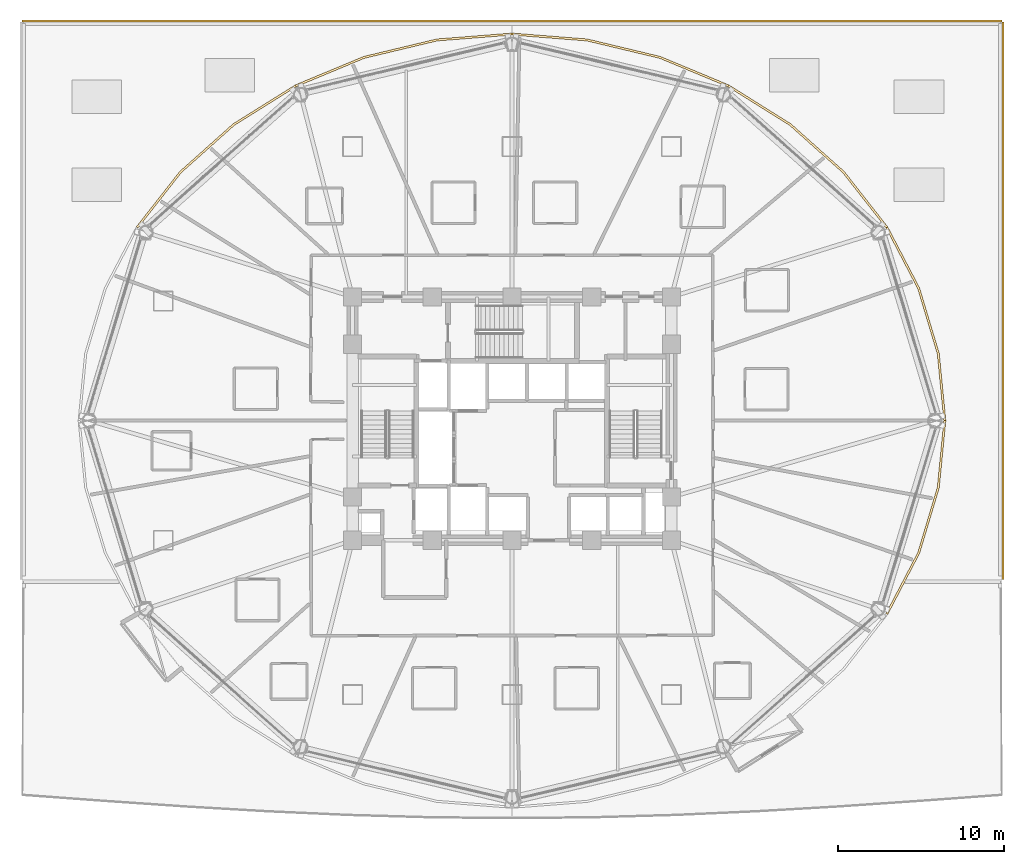
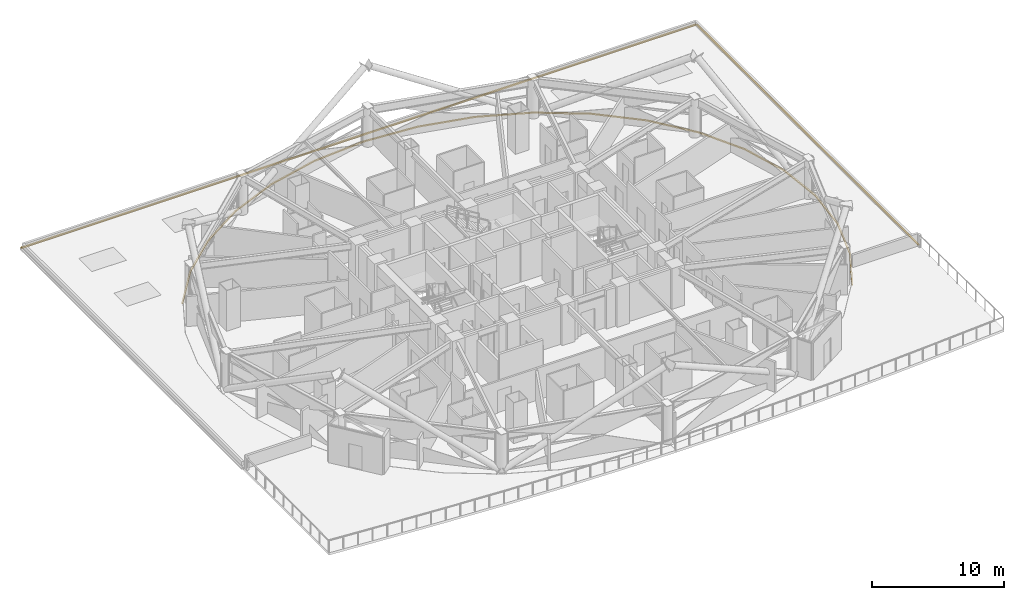
# One storey, part 27 of 27: 8 coverings.
"""IFC4 building model written with IfcOpenShell, lengths in metres."""

from ifc_helpers import new_model, si_unit, direction, frame, origin, place, context, subcontext, project, spatial, polyline, outline, extrude, material, layer, layer_set, type_object, element, save


model = new_model("IFC4")

# Units and contexts
model_context = context("Model", 3, precision=1e-05, world=origin(), true_north=direction((0.0, 1.0)))
body_context = subcontext(model_context, "Body", "Model", "MODEL_VIEW")
ifc_project = project(units=[si_unit("LENGTHUNIT", "METRE"), si_unit("AREAUNIT", "SQUARE_METRE"), si_unit("VOLUMEUNIT", "CUBIC_METRE"), si_unit("PLANEANGLEUNIT", "RADIAN"), si_unit("MASSUNIT", "GRAM", prefix="KILO")], contexts=[model_context])

# Site, building, storey
site_placement = place(None, origin())
site = spatial("IfcSite", under=ifc_project, at=site_placement, CompositionType="ELEMENT")
building_placement = place(site_placement, origin())
building = spatial("IfcBuilding", under=site, at=building_placement, Name="Vantalir Tower", CompositionType="ELEMENT")
storey_placement = place(building_placement, frame((0.0, 0.0, 27.0)))
storey = spatial("IfcBuildingStorey", under=building, at=storey_placement, Name="L05", CompositionType="ELEMENT", Elevation=27.0)

# Coverings
ifc_material = material(Name="Anodised champagne aluminium sill fascia", Category="aluminium")
ifc_layer = layer(ifc_material, 0.125)
ifc_layer_set = layer_set([ifc_layer], Name="Anodised champagne aluminium sill fascia")
covering_type = type_object("IfcCoveringType", Name="COV-SLAB-FASCIA-125", PredefinedType="CLADDING", material=ifc_layer_set)
covering_1_placement = place(storey_placement, frame((0.0, 0.0, -0.179931640625)))
element("IfcCovering", 1, at=covering_1_placement, inside=storey, type_object=covering_type, Name="L05 Perimeter Slab-Edge Sill Fascia 01", PredefinedType="CLADDING", context=body_context, shape_type="SweptSolid", body=[
    extrude(outline(polyline([(57.625, 25.0), (57.22802734375, 29.052978515625), (56.049072265625, 32.98193359375), (54.125, 36.6689453125), (54.01708984375, 36.60693359375), (55.931884765625, 32.93994140625), (57.10498046875, 29.031005859375), (57.5, 25.0), (57.625, 25.0)])), origin(), (0.0, 0.0, 1.0), 0.10498046875),
])
covering_2_placement = place(storey_placement, frame((0.0, 0.0, -0.179931640625)))
element("IfcCovering", 2, at=covering_2_placement, inside=storey, type_object=covering_type, Name="L05 Perimeter Slab-Edge Sill Fascia 02", PredefinedType="CLADDING", context=body_context, shape_type="SweptSolid", body=[
    extrude(outline(polyline([(54.125, 36.6689453125), (51.512939453125, 40.001953125), (48.29296875, 42.87890625), (44.56298828125, 45.2119140625), (44.5, 45.10400390625), (48.2119140625, 42.782958984375), (51.4169921875, 39.922119140625), (54.01708984375, 36.60693359375), (54.125, 36.6689453125)])), origin(), (0.0, 0.0, 1.0), 0.10498046875),
])
covering_3_placement = place(storey_placement, frame((0.0, 0.0, -0.179931640625)))
element("IfcCovering", 3, at=covering_3_placement, inside=storey, type_object=covering_type, Name="L05 Perimeter Slab-Edge Sill Fascia 03", PredefinedType="CLADDING", context=body_context, shape_type="SweptSolid", body=[
    extrude(outline(polyline([(44.56298828125, 45.2119140625), (40.43505859375, 46.930908203125), (36.037109375, 47.98388671875), (31.5, 48.339111328125), (31.5, 48.214111328125), (36.014892578125, 47.861083984375), (40.39306640625, 46.81396484375), (44.5, 45.10400390625), (44.56298828125, 45.2119140625)])), origin(), (0.0, 0.0, 1.0), 0.10498046875),
])
covering_4_placement = place(storey_placement, frame((0.0, 0.0, -0.179931640625)))
element("IfcCovering", 4, at=covering_4_placement, inside=storey, type_object=covering_type, Name="L05 Perimeter Slab-Edge Sill Fascia 04", PredefinedType="CLADDING", context=body_context, shape_type="SweptSolid", body=[
    extrude(outline(polyline([(31.5, 48.339111328125), (26.962890625, 47.98388671875), (22.56494140625, 46.930908203125), (18.43798828125, 45.2119140625), (18.5, 45.10400390625), (22.60693359375, 46.81396484375), (26.985107421875, 47.861083984375), (31.5, 48.214111328125), (31.5, 48.339111328125)])), origin(), (0.0, 0.0, 1.0), 0.10498046875),
])
covering_5_placement = place(storey_placement, frame((0.0, 0.0, -0.179931640625)))
element("IfcCovering", 5, at=covering_5_placement, inside=storey, type_object=covering_type, Name="L05 Perimeter Slab-Edge Sill Fascia 05", PredefinedType="CLADDING", context=body_context, shape_type="SweptSolid", body=[
    extrude(outline(polyline([(18.43798828125, 45.2119140625), (14.70703125, 42.87890625), (11.487060546875, 40.001953125), (8.875, 36.6689453125), (8.98291015625, 36.60693359375), (11.5830078125, 39.922119140625), (14.7880859375, 42.782958984375), (18.5, 45.10400390625), (18.43798828125, 45.2119140625)])), origin(), (0.0, 0.0, 1.0), 0.10498046875),
])
covering_6_placement = place(storey_placement, frame((0.0, 0.0, -0.179931640625)))
element("IfcCovering", 6, at=covering_6_placement, inside=storey, type_object=covering_type, Name="L05 Perimeter Slab-Edge Sill Fascia 12", PredefinedType="CLADDING", context=body_context, shape_type="SweptSolid", body=[
    extrude(outline(polyline([(54.125, 13.330078125), (56.049072265625, 17.01806640625), (57.22802734375, 20.947021484375), (57.625, 25.0), (57.5, 25.0), (57.10498046875, 20.968994140625), (55.931884765625, 17.06005859375), (54.01708984375, 13.39306640625), (54.125, 13.330078125)])), origin(), (0.0, 0.0, 1.0), 0.10498046875),
])
covering_7_placement = place(storey_placement, frame((0.0, 0.0, -0.179931640625)))
element("IfcCovering", 7, at=covering_7_placement, inside=storey, type_object=covering_type, Name="L05 Unoccupied Roof Slab-Edge Fascia E", PredefinedType="CLADDING", context=body_context, shape_type="SweptSolid", body=[
    extrude(outline(polyline([(61.0, 15.449951171875), (61.125, 15.449951171875), (61.125, 49.0), (61.0, 49.0), (61.0, 15.449951171875)])), origin(), (0.0, 0.0, 1.0), 0.125),
])
covering_8_placement = place(storey_placement, frame((0.0, 0.0, -0.179931640625)))
element("IfcCovering", 8, at=covering_8_placement, inside=storey, type_object=covering_type, Name="L05 Unoccupied Roof Slab-Edge Fascia N", PredefinedType="CLADDING", context=body_context, shape_type="SweptSolid", body=[
    extrude(outline(polyline([(2.0, 49.0), (61.0, 49.0), (61.0, 49.125), (2.0, 49.125), (2.0, 49.0)])), origin(), (0.0, 0.0, 1.0), 0.125),
])

save(model, "model.ifc")
